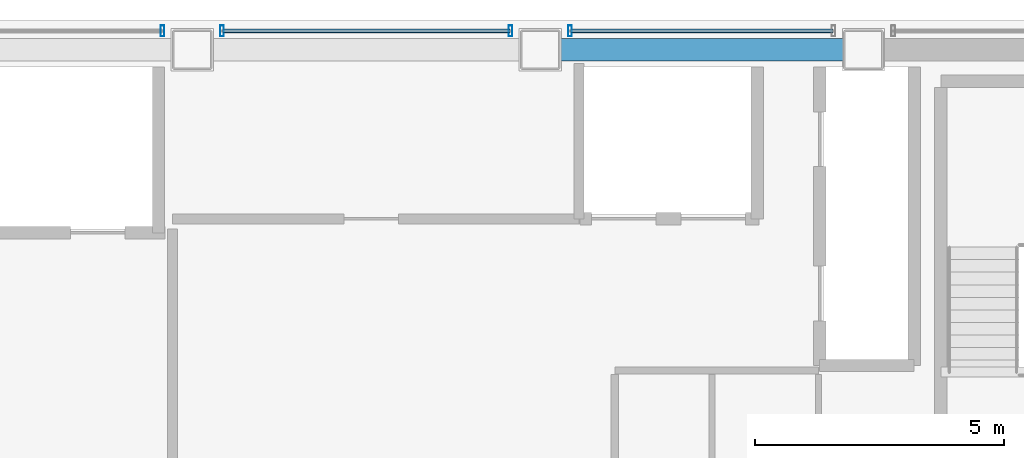
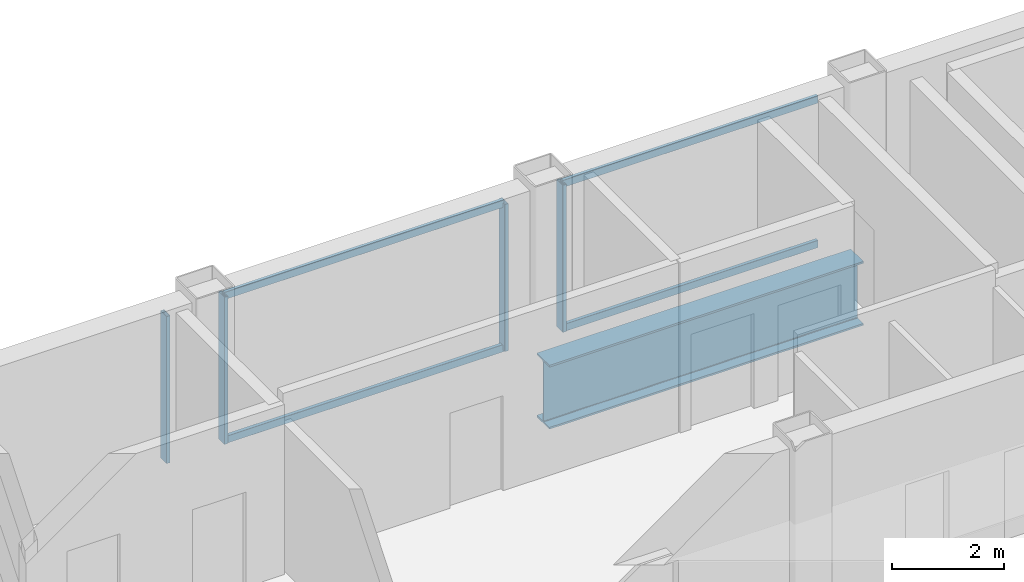
# One storey, part 13 of 22: 8 members, 1 beam, 3 elements without a shape of their own.
"""IFC4 building model written with IfcOpenShell, lengths in metres."""

import ifcopenshell
import ifcopenshell.guid

model = None  # the IFC model being written
_history = None  # IfcOwnerHistory: only IFC2X3 demands one
_inside = {}  # id of a spatial element -> (the spatial element, [elements in it])
_under = {}  # id of a project, library or spatial element -> (it, [spatial elements below it])
_declared = {}  # id of a project -> (the project, [libraries it declares])
_typed = {}  # id of a type object -> (the type object, [elements of that type])
_made_of = {}  # id of a material, layer set ... -> (it, [elements and type objects made of it])


def new_model(schema):
    """Start an empty IFC model of exactly this schema.

    Asked for "IFC4X3", IfcOpenShell would pick the latest addendum, in which some entities
    have other attributes; the version numbers below select the first issue.
    IFC2X3 requires an IfcOwnerHistory on every rooted entity: one is made here for all.
    """
    global model, _history
    if schema == "IFC4X3":
        model = ifcopenshell.file(schema_version=(4, 3, 0, 0))
    else:
        model = ifcopenshell.file(schema=schema)
    _inside.clear()
    _under.clear()
    _declared.clear()
    _typed.clear()
    _made_of.clear()
    _history = None
    if model.schema == "IFC2X3":
        org = make("IfcOrganization", Name="unknown")
        user = make(
            "IfcPersonAndOrganization",
            ThePerson=make("IfcPerson", FamilyName="unknown"),
            TheOrganization=org,
        )
        app = make(
            "IfcApplication",
            ApplicationDeveloper=org,
            Version="unknown",
            ApplicationFullName="unknown",
            ApplicationIdentifier="unknown",
        )
        _history = make(
            "IfcOwnerHistory",
            OwningUser=user,
            OwningApplication=app,
            ChangeAction="ADDED",
            CreationDate=0,
        )
    return model


def make(cls, **values):
    """One entity of the class cls with the attributes given. An attribute that is None is left unset."""
    return model.create_entity(
        cls, **{name: value for name, value in values.items() if value is not None}
    )


def rooted(cls, **values):
    """An entity with a GlobalId (a new one), such as an element, a storey or a relation."""
    return make(cls, GlobalId=ifcopenshell.guid.new(), OwnerHistory=_history, **values)


def si_unit(unit_type, name, prefix=None):
    """IfcSIUnit, for example si_unit("LENGTHUNIT", "METRE", prefix="MILLI")."""
    return make("IfcSIUnit", UnitType=unit_type, Prefix=prefix, Name=name)


def assignment(units):
    """IfcUnitAssignment: the units of a project."""
    return None if units is None else make("IfcUnitAssignment", Units=units)


def point(xyz):
    """IfcCartesianPoint."""
    return None if xyz is None else make("IfcCartesianPoint", Coordinates=xyz)


def direction(xyz):
    """IfcDirection."""
    return None if xyz is None else make("IfcDirection", DirectionRatios=xyz)


def frame(location, z_axis=None, x_axis=None):
    """IfcAxis2Placement3D, a coordinate frame: its origin and axes. An axis left out is left unset."""
    return make(
        "IfcAxis2Placement3D",
        Location=point(location),
        Axis=direction(z_axis),
        RefDirection=direction(x_axis),
    )


def frame_2d(location, x_axis=None):
    """IfcAxis2Placement2D, a coordinate frame in the plane: its origin and x axis."""
    return make(
        "IfcAxis2Placement2D", Location=point(location), RefDirection=direction(x_axis)
    )


def origin():
    """The frame at (0, 0, 0) with its axes left unset."""
    return frame((0.0, 0.0, 0.0))


def origin_2d():
    """The frame at (0, 0) in the plane with its x axis left unset."""
    return frame_2d((0.0, 0.0))


def place(relative_to, where):
    """IfcLocalPlacement: puts the frame where relative to a parent placement (None: the world)."""
    return make(
        "IfcLocalPlacement", PlacementRelTo=relative_to, RelativePlacement=where
    )


def context(
    kind, dimensions, precision=None, world=None, true_north=None, identifier=None
):
    """IfcGeometricRepresentationContext, for example the 3D "Model" context."""
    return make(
        "IfcGeometricRepresentationContext",
        ContextIdentifier=identifier,
        ContextType=kind,
        CoordinateSpaceDimension=dimensions,
        Precision=precision,
        WorldCoordinateSystem=world,
        TrueNorth=true_north,
    )


def subcontext(parent, identifier, kind, view, scale=None):
    """IfcGeometricRepresentationSubContext, for example "Body" below "Model"."""
    return make(
        "IfcGeometricRepresentationSubContext",
        ContextIdentifier=identifier,
        ContextType=kind,
        ParentContext=parent,
        TargetScale=scale,
        TargetView=view,
    )


def project(units=None, contexts=None):
    """IfcProject with its units and contexts."""
    return rooted(
        "IfcProject",
        Name="project",
        RepresentationContexts=contexts,
        UnitsInContext=assignment(units),
    )


def spatial(cls, under=None, at=None, **own):
    """A site, building, storey or space (cls), placed at a placement, below another one or the project."""
    s = rooted(cls, ObjectPlacement=at, **own)
    if under is not None:
        _under.setdefault(under.id(), (under, []))[1].append(s)
    return s


def profile(cls, at=None, kind="AREA", **sizes):
    """A parametric profile (cls). Its sizes go by their IFC names, for example OverallWidth=200.0."""
    return make(cls, ProfileType=kind, Position=at, **sizes)


def hollow_rectangle(**sizes):
    """IfcRectangleHollowProfileDef."""
    return profile("IfcRectangleHollowProfileDef", **sizes)


def i_section(**sizes):
    """IfcIShapeProfileDef."""
    return profile("IfcIShapeProfileDef", **sizes)


def extrude(swept, where, along, depth):
    """IfcExtrudedAreaSolid: the profile swept, set in the frame where, extruded along a direction by depth."""
    return make(
        "IfcExtrudedAreaSolid",
        SweptArea=swept,
        Position=where,
        ExtrudedDirection=direction(along),
        Depth=depth,
    )


def shape(context_of_items, identifier, shape_type, items):
    """IfcShapeRepresentation: the items that make up one representation, for example the "Body"."""
    return make(
        "IfcShapeRepresentation",
        ContextOfItems=context_of_items,
        RepresentationIdentifier=identifier,
        RepresentationType=shape_type,
        Items=items,
    )


def material(Name=None, Category=None):
    """IfcMaterial."""
    return make("IfcMaterial", Name=Name, Category=Category)


def material_profile(
    of_material, cross_section, Name=None, Category=None, Priority=None
):
    """IfcMaterialProfile: a cross section and its material."""
    return make(
        "IfcMaterialProfile",
        Name=Name,
        Material=of_material,
        Profile=cross_section,
        Priority=Priority,
        Category=Category,
    )


def profile_set(profiles, Name=None, composite=None):
    """IfcMaterialProfileSet."""
    return make(
        "IfcMaterialProfileSet",
        Name=Name,
        MaterialProfiles=profiles,
        CompositeProfile=composite,
    )


def made_of(thing, what):
    """Note that an element or type object is made of a material, layer set ...; save() writes the relation."""
    if what is not None:
        _made_of.setdefault(what.id(), (what, []))[1].append(thing)
    return thing


def type_object(cls, material=None, **own):
    """A type object (cls), such as IfcWallType, which elements share."""
    return made_of(rooted(cls, **own), material)


def element(
    cls,
    number,
    at=None,
    inside=None,
    cuts=None,
    type_object=None,
    material=None,
    context=None,
    identifier="Body",
    shape_type=None,
    held_by="IfcProductDefinitionShape",
    body=None,
    shapes=None,
    **own,
):
    """One element of the class cls, such as IfcWall. Its Tag is "e" and its number.

    at: its placement. inside: the storey or other place that contains it. cuts: it is an
    opening in that element (IfcRelVoidsElement). A single representation is given by context,
    identifier, shape_type and body (its items); several are given by shapes. held_by: the class
    of the entity that holds the representations. save() writes the other relations.
    """
    e = rooted(cls, Tag="e%d" % number, ObjectPlacement=at, **own)
    if body is not None:
        shapes = [shape(context, identifier, shape_type, body)]
    if shapes is not None:
        e.Representation = make(held_by, Representations=shapes)
    if inside is not None:
        _inside.setdefault(inside.id(), (inside, []))[1].append(e)
    if cuts is not None:
        rooted(
            "IfcRelVoidsElement", RelatingBuildingElement=cuts, RelatedOpeningElement=e
        )
    if type_object is not None:
        _typed.setdefault(type_object.id(), (type_object, []))[1].append(e)
    return made_of(e, material)


def aggregate(whole, parts):
    """IfcRelAggregates: a whole, such as a stair, and the parts it consists of."""
    return rooted("IfcRelAggregates", RelatingObject=whole, RelatedObjects=parts)


def save(model, path):
    """Write the relations noted so far, then the file.

    IfcRelAggregates (storeys below a building ...), IfcRelContainedInSpatialStructure (elements
    in a storey), IfcRelDefinesByType, IfcRelAssociatesMaterial and IfcRelDeclares: one each for
    every whole, place, type object, material and project.
    """
    for whole, parts in _under.values():
        aggregate(whole, parts)
    for where, things in _inside.values():
        rooted(
            "IfcRelContainedInSpatialStructure",
            RelatedElements=things,
            RelatingStructure=where,
        )
    for kind, things in _typed.values():
        rooted("IfcRelDefinesByType", RelatedObjects=things, RelatingType=kind)
    for what, things in _made_of.values():
        rooted("IfcRelAssociatesMaterial", RelatedObjects=things, RelatingMaterial=what)
    for by, libraries in _declared.values():
        rooted("IfcRelDeclares", RelatingContext=by, RelatedDefinitions=libraries)
    model.write(path)


model = new_model("IFC4")

# Units and contexts
model_context = context("Model", 3, precision=1e-05, world=origin(), true_north=direction((0.0, 1.0)))
body_context = subcontext(model_context, "Body", "Model", "MODEL_VIEW")
ifc_project = project(units=[si_unit("LENGTHUNIT", "METRE"), si_unit("AREAUNIT", "SQUARE_METRE"), si_unit("VOLUMEUNIT", "CUBIC_METRE"), si_unit("PLANEANGLEUNIT", "RADIAN"), si_unit("MASSUNIT", "GRAM", prefix="KILO")], contexts=[model_context])

# Site, building, storey
site_placement = place(None, origin())
site = spatial("IfcSite", under=ifc_project, at=site_placement, CompositionType="ELEMENT")
building_placement = place(site_placement, origin())
building = spatial("IfcBuilding", under=site, at=building_placement, Name="Noeulbin Bourse Tower", CompositionType="ELEMENT")
storey_placement = place(building_placement, frame((0.0, 0.0, 230.60009765625)))
storey = spatial("IfcBuildingStorey", under=building, at=storey_placement, Name="L57", CompositionType="ELEMENT", Elevation=230.60009765625)

# Beam
ifc_material_1 = material(Name="Steel S460", Category="steel")
ifc_material_profile_1 = material_profile(ifc_material_1, i_section(OverallWidth=0.449951171875, OverallDepth=1.39990234375, WebThickness=0.02392578125, FlangeThickness=0.0400390625, FilletRadius=0.02392578125, at=origin_2d()), Name="PG-1400x450x24x40", Category="LoadBearing")
ifc_profile_set_1 = profile_set([ifc_material_profile_1], Name="Steel S460")
beam_type = type_object("IfcBeamType", Name="BM-TRF-1400", PredefinedType="USERDEFINED", material=ifc_profile_set_1)
beam_placement = place(storey_placement, frame((31.0, 38.300048828125, -0.940185546875), z_axis=(1.0, 0.0, 0.0), x_axis=(0.0, 1.0, 0.0)))
element("IfcBeam", 1, at=beam_placement, inside=storey, type_object=beam_type, Name="Tower Primary Girder EW L57-3.3", ObjectType="GIRDER", PredefinedType="USERDEFINED", context=body_context, shape_type="SweptSolid", body=[
    extrude(i_section(OverallWidth=0.449951171875, OverallDepth=1.39990234375, WebThickness=0.02392578125, FlangeThickness=0.0400390625, FilletRadius=0.02392578125, at=origin_2d()), origin(), (0.0, 0.0, 1.0), 6.5),
])

# Curtain wall, member
ifc_material_2 = material(Name="High-Selectivity Low-Iron Glazing", Category="glass")
curtain_wall_type = type_object("IfcCurtainWallType", Name="CW-SYS-4", PredefinedType="NOTDEFINED", material=ifc_material_2)
curtain_wall_1_placement = place(storey_placement, origin())
curtain_wall_1 = element("IfcCurtainWall", 2, at=curtain_wall_1_placement, inside=storey, type_object=curtain_wall_type, Name="Unitised Curtain Wall CW-L57-N-S3", PredefinedType="NOTDEFINED")
ifc_material_3 = material(Name="Anodised Aluminium 6063-T6", Category="aluminium")
ifc_material_profile_2 = material_profile(ifc_material_3, hollow_rectangle(XDim=0.074951171875, YDim=0.219970703125, WallThickness=0.0048828125, InnerFilletRadius=0.00244140625, OuterFilletRadius=0.0048828125, at=origin_2d()), Name="ALU-MULL-75x220x5", Category="LoadBearing")
ifc_profile_set_2 = profile_set([ifc_material_profile_2], Name="Anodised Aluminium 6063-T6")
member_type_1 = type_object("IfcMemberType", Name="CW-SYS-4-MUL", PredefinedType="MULLION", material=ifc_profile_set_2)
member_1_placement = place(storey_placement, frame((23.39990234375, 38.679931640625, -0.02001953125), z_axis=(0.0, 0.0, 1.0), x_axis=(1.0, 0.0, 0.0)))
member_1 = element("IfcMember", 3, at=member_1_placement, type_object=member_type_1, Name="Curtain Wall Mullion CW-L57-N-S3-M01", PredefinedType="MULLION", context=body_context, shape_type="SweptSolid", body=[
    extrude(hollow_rectangle(XDim=0.074951171875, YDim=0.219970703125, WallThickness=0.0048828125, InnerFilletRadius=0.00244140625, OuterFilletRadius=0.0048828125, at=origin_2d()), origin(), (0.0, 0.0, 1.0), 3.219970703125),
])
aggregate(curtain_wall_1, [member_1])

# Curtain wall, members
curtain_wall_2_placement = place(storey_placement, origin())
curtain_wall_2 = element("IfcCurtainWall", 4, at=curtain_wall_2_placement, inside=storey, type_object=curtain_wall_type, Name="Unitised Curtain Wall CW-L57-N-S4", PredefinedType="NOTDEFINED")
member_2_placement = place(storey_placement, frame((24.60009765625, 38.679931640625, -0.02001953125), z_axis=(0.0, 0.0, 1.0), x_axis=(1.0, 0.0, 0.0)))
member_2 = element("IfcMember", 5, at=member_2_placement, type_object=member_type_1, Name="Curtain Wall Mullion CW-L57-N-S4-M00", PredefinedType="MULLION", context=body_context, shape_type="SweptSolid", body=[
    extrude(hollow_rectangle(XDim=0.074951171875, YDim=0.219970703125, WallThickness=0.0048828125, InnerFilletRadius=0.00244140625, OuterFilletRadius=0.0048828125, at=origin_2d()), origin(), (0.0, 0.0, 1.0), 3.219970703125),
])
member_3_placement = place(storey_placement, frame((30.39990234375, 38.679931640625, -0.02001953125), z_axis=(0.0, 0.0, 1.0), x_axis=(1.0, 0.0, 0.0)))
member_3 = element("IfcMember", 6, at=member_3_placement, type_object=member_type_1, Name="Curtain Wall Mullion CW-L57-N-S4-M01", PredefinedType="MULLION", context=body_context, shape_type="SweptSolid", body=[
    extrude(hollow_rectangle(XDim=0.074951171875, YDim=0.219970703125, WallThickness=0.0048828125, InnerFilletRadius=0.00244140625, OuterFilletRadius=0.0048828125, at=origin_2d()), origin(), (0.0, 0.0, 1.0), 3.219970703125),
])

# Curtain wall, member
curtain_wall_3_placement = place(storey_placement, origin())
curtain_wall_3 = element("IfcCurtainWall", 7, at=curtain_wall_3_placement, inside=storey, type_object=curtain_wall_type, Name="Unitised Curtain Wall CW-L57-N-S5", PredefinedType="NOTDEFINED")
member_4_placement = place(storey_placement, frame((31.60009765625, 38.679931640625, -0.02001953125), z_axis=(0.0, 0.0, 1.0), x_axis=(1.0, 0.0, 0.0)))
member_4 = element("IfcMember", 8, at=member_4_placement, type_object=member_type_1, Name="Curtain Wall Mullion CW-L57-N-S5-M00", PredefinedType="MULLION", context=body_context, shape_type="SweptSolid", body=[
    extrude(hollow_rectangle(XDim=0.074951171875, YDim=0.219970703125, WallThickness=0.0048828125, InnerFilletRadius=0.00244140625, OuterFilletRadius=0.0048828125, at=origin_2d()), origin(), (0.0, 0.0, 1.0), 3.219970703125),
])

# Member
ifc_material_profile_3 = material_profile(ifc_material_3, hollow_rectangle(XDim=0.074951171875, YDim=0.159912109375, WallThickness=0.0048828125, InnerFilletRadius=0.00244140625, OuterFilletRadius=0.0048828125, at=origin_2d()), Name="ALU-TRAN-75x160x5", Category="LoadBearing")
ifc_profile_set_3 = profile_set([ifc_material_profile_3], Name="Anodised Aluminium 6063-T6")
member_type_2 = type_object("IfcMemberType", Name="CW-SYS-4-TRN", PredefinedType="USERDEFINED", material=ifc_profile_set_3)
member_5_placement = place(storey_placement, frame((24.610107421875, 38.679931640625, 0.010009765625), z_axis=(1.0, 0.0, 0.0), x_axis=(0.0, 1.0, 0.0)))
member_5 = element("IfcMember", 9, at=member_5_placement, type_object=member_type_2, Name="Curtain Wall Transom CW-L57-N-S4-T00", ObjectType="TRANSOM", PredefinedType="USERDEFINED", context=body_context, shape_type="SweptSolid", body=[
    extrude(hollow_rectangle(XDim=0.074951171875, YDim=0.159912109375, WallThickness=0.0048828125, InnerFilletRadius=0.00244140625, OuterFilletRadius=0.0048828125, at=origin_2d()), origin(), (0.0, 0.0, 1.0), 5.77978515625),
])

member_6_placement = place(storey_placement, frame((24.610107421875, 38.679931640625, 3.169921875), z_axis=(1.0, 0.0, 0.0), x_axis=(0.0, 1.0, 0.0)))
member_6 = element("IfcMember", 10, at=member_6_placement, type_object=member_type_2, Name="Curtain Wall Transom CW-L57-N-S4-T01", ObjectType="TRANSOM", PredefinedType="USERDEFINED", context=body_context, shape_type="SweptSolid", body=[
    extrude(hollow_rectangle(XDim=0.074951171875, YDim=0.159912109375, WallThickness=0.0048828125, InnerFilletRadius=0.00244140625, OuterFilletRadius=0.0048828125, at=origin_2d()), origin(), (0.0, 0.0, 1.0), 5.77978515625),
])

aggregate(curtain_wall_2, [member_2, member_3, member_5, member_6])

member_7_placement = place(storey_placement, frame((31.610107421875, 38.679931640625, 0.010009765625), z_axis=(1.0, 0.0, 0.0), x_axis=(0.0, 1.0, 0.0)))
member_7 = element("IfcMember", 11, at=member_7_placement, type_object=member_type_2, Name="Curtain Wall Transom CW-L57-N-S5-T00", ObjectType="TRANSOM", PredefinedType="USERDEFINED", context=body_context, shape_type="SweptSolid", body=[
    extrude(hollow_rectangle(XDim=0.074951171875, YDim=0.159912109375, WallThickness=0.0048828125, InnerFilletRadius=0.00244140625, OuterFilletRadius=0.0048828125, at=origin_2d()), origin(), (0.0, 0.0, 1.0), 5.27978515625),
])

member_8_placement = place(storey_placement, frame((31.610107421875, 38.679931640625, 3.169921875), z_axis=(1.0, 0.0, 0.0), x_axis=(0.0, 1.0, 0.0)))
member_8 = element("IfcMember", 12, at=member_8_placement, type_object=member_type_2, Name="Curtain Wall Transom CW-L57-N-S5-T01", ObjectType="TRANSOM", PredefinedType="USERDEFINED", context=body_context, shape_type="SweptSolid", body=[
    extrude(hollow_rectangle(XDim=0.074951171875, YDim=0.159912109375, WallThickness=0.0048828125, InnerFilletRadius=0.00244140625, OuterFilletRadius=0.0048828125, at=origin_2d()), origin(), (0.0, 0.0, 1.0), 5.27978515625),
])

aggregate(curtain_wall_3, [member_4, member_7, member_8])

save(model, "model.ifc")
